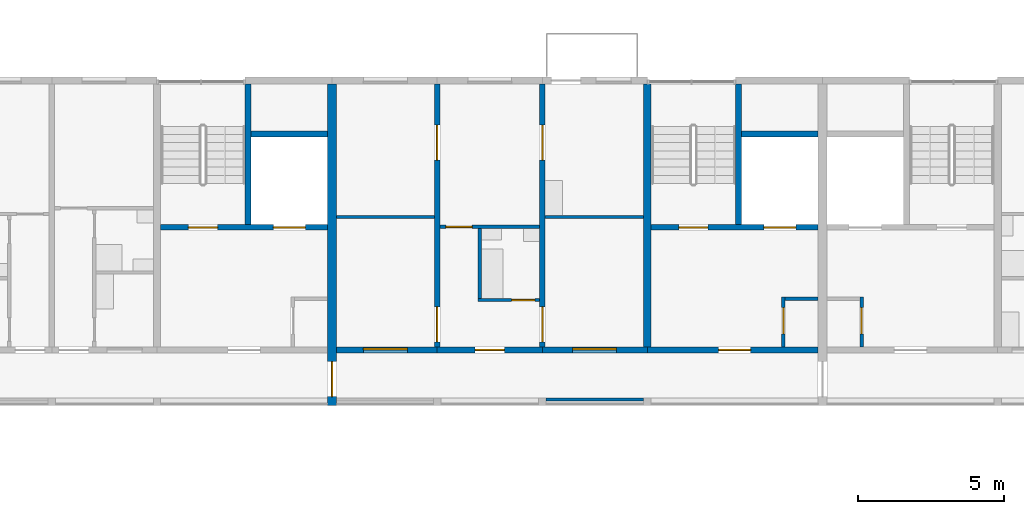
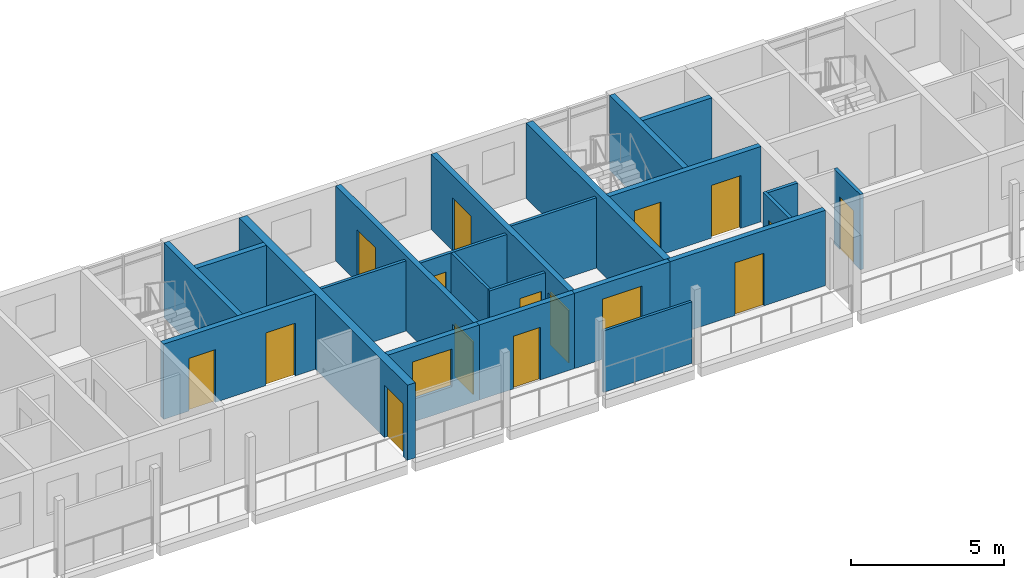
# One storey, part 52 of 100: 23 walls, 15 doors, 2 windows, 17 openings.
"""IFC4 building model written with IfcOpenShell, lengths in metres."""

from ifc_helpers import new_model, si_unit, direction, frame, frame_2d, origin, place, context, subcontext, project, spatial, rectangle, extrude, material, layer, layer_set, type_object, element, fill, save


model = new_model("IFC4")

# Units and contexts
model_context = context("Model", 3, precision=1e-05, world=origin(), true_north=direction((0.0, 1.0)))
body_context = subcontext(model_context, "Body", "Model", "MODEL_VIEW")
ifc_project = project(units=[si_unit("LENGTHUNIT", "METRE"), si_unit("AREAUNIT", "SQUARE_METRE"), si_unit("VOLUMEUNIT", "CUBIC_METRE"), si_unit("PLANEANGLEUNIT", "RADIAN"), si_unit("MASSUNIT", "GRAM", prefix="KILO")], contexts=[model_context])

# Site, building, storey
site_placement = place(None, origin())
site = spatial("IfcSite", under=ifc_project, at=site_placement, CompositionType="ELEMENT")
building_placement = place(site_placement, origin())
building = spatial("IfcBuilding", under=site, at=building_placement, Name="Ridgestep Commons", CompositionType="ELEMENT")
storey_placement = place(building_placement, frame((0.0, 0.0, 9.0)))
storey = spatial("IfcBuildingStorey", under=building, at=storey_placement, Name="L03", CompositionType="ELEMENT", Elevation=9.0)

# Wall
ifc_material_1 = material(Name="Concrete C30/37", Category="concrete")
ifc_layer_1 = layer(ifc_material_1, 0.25)
ifc_layer_set_1 = layer_set([ifc_layer_1], Name="Core cross wall 250")
wall_type_1 = type_object("IfcWallType", Name="Core cross wall 250", PredefinedType="SHEAR", material=ifc_layer_set_1)
wall_1_placement = place(storey_placement, frame((174.39990234375, 68.0, 0.0), z_axis=(0.0, 0.0, 1.0), x_axis=(0.0, 1.0, 0.0)))
element("IfcWall", 1, at=wall_1_placement, inside=storey, type_object=wall_type_1, Name="Cross wall C-03-1744", PredefinedType="SHEAR", context=body_context, shape_type="SweptSolid", body=[
    extrude(rectangle(XDim=9.0, YDim=0.25, at=frame_2d((4.5, 0.0))), origin(), (0.0, 0.0, 1.0), 3.0),
])

# Wall, opening, door
ifc_material_2 = material(Name="Concrete C30/37", Category="concrete")
ifc_layer_2 = layer(ifc_material_2, 0.199951171875)
ifc_layer_set_2 = layer_set([ifc_layer_2], Name="Core south wall 200")
wall_type_2 = type_object("IfcWallType", Name="Core south wall 200", PredefinedType="SHEAR", material=ifc_layer_set_2)
wall_2_placement = place(storey_placement, frame((174.39990234375, 67.89990234375, 0.0), z_axis=(0.0, 0.0, 1.0), x_axis=(1.0, 0.0, 0.0)))
wall_2 = element("IfcWall", 2, at=wall_2_placement, inside=storey, type_object=wall_type_2, Name="Core south wall C2C L03", PredefinedType="SHEAR", context=body_context, shape_type="SweptSolid", body=[
    extrude(rectangle(XDim=5.85009765625, YDim=0.199951171875, at=frame_2d((2.925048828125, 0.0))), origin(), (0.0, 0.0, 1.0), 3.0),
])
opening_1_placement = place(wall_2_placement, frame((2.4375, 0.0, 0.0)))
opening_1 = element("IfcOpeningElement", 3, at=opening_1_placement, cuts=wall_2, Name="Opening C2C/03/1", PredefinedType="OPENING", context=body_context, shape_type="SweptSolid", body=[
    extrude(rectangle(XDim=1.10009765625, YDim=2.10009765625, at=frame_2d((0.550048828125, 1.050048828125))), frame((0.0, 0.10986328125, 0.0), z_axis=(0.0, -1.0, 0.0), x_axis=(1.0, 0.0, 0.0)), (0.0, 0.0, 1.0), 0.219970703125),
])
ifc_material_3 = material(Name="Steel fire door", Category="steel")
door_type_1 = type_object("IfcDoorType", Name="Lobby door 1100 x 2100 FD60", OperationType="NOTDEFINED", PredefinedType="DOOR", material=ifc_material_3)
door_1_placement = place(opening_1_placement, origin())
door_1 = element("IfcDoor", 4, at=door_1_placement, inside=storey, type_object=door_type_1, Name="Lobby door C2C/03/1", OperationType="SINGLE_SWING_LEFT", OverallHeight=2.10009765625, OverallWidth=1.10009765625, PredefinedType="DOOR", context=body_context, shape_type="SweptSolid", body=[
    extrude(rectangle(XDim=1.10009765625, YDim=2.10009765625, at=frame_2d((0.550048828125, 1.050048828125))), frame((0.0, 0.02490234375, 0.0), z_axis=(0.0, -1.0, 0.0), x_axis=(1.0, 0.0, 0.0)), (0.0, 0.0, 1.0), 0.050048828125),
])
fill(opening_1, door_1)

ifc_material_4 = material(Name="Concrete C30/37", Category="concrete")
ifc_layer_3 = layer(ifc_material_4, 0.1201171875)
ifc_layer_set_3 = layer_set([ifc_layer_3], Name="Core wall 120")
wall_type_3 = type_object("IfcWallType", Name="Core wall 120", PredefinedType="SHEAR", material=ifc_layer_set_3)
wall_3_placement = place(storey_placement, frame((179.06005859375, 68.0, 0.0), z_axis=(0.0, 0.0, 1.0), x_axis=(0.0, 1.0, 0.0)))
wall_3 = element("IfcWall", 5, at=wall_3_placement, inside=storey, type_object=wall_type_3, Name="Core riser w wall C2C L03", PredefinedType="SHEAR", context=body_context, shape_type="SweptSolid", body=[
    extrude(rectangle(XDim=1.719970703125, YDim=0.1201171875, at=frame_2d((0.85986328125, 0.0))), origin(), (0.0, 0.0, 1.0), 3.0),
])
opening_2_placement = place(wall_3_placement, frame((0.449951171875, 0.0, 0.0)))
opening_2 = element("IfcOpeningElement", 6, at=opening_2_placement, cuts=wall_3, Name="Opening C2C/03/4", PredefinedType="OPENING", context=body_context, shape_type="SweptSolid", body=[
    extrude(rectangle(XDim=0.89990234375, YDim=2.10009765625, at=frame_2d((0.449951171875, 1.050048828125))), frame((0.0, 0.070068359375, 0.0), z_axis=(0.0, -1.0, 0.0), x_axis=(1.0, 0.0, 0.0)), (0.0, 0.0, 1.0), 0.14013671875),
])
ifc_material_5 = material(Name="Steel fire door", Category="steel")
door_type_2 = type_object("IfcDoorType", Name="Riser door 900 x 2100 FD60", OperationType="NOTDEFINED", PredefinedType="DOOR", material=ifc_material_5)
door_2_placement = place(opening_2_placement, origin())
door_2 = element("IfcDoor", 7, at=door_2_placement, inside=storey, type_object=door_type_2, Name="Riser door C2C/03/4", OperationType="SINGLE_SWING_LEFT", OverallHeight=2.10009765625, OverallWidth=0.89990234375, PredefinedType="DOOR", context=body_context, shape_type="SweptSolid", body=[
    extrude(rectangle(XDim=0.89990234375, YDim=2.10009765625, at=frame_2d((0.449951171875, 1.050048828125))), frame((0.0, 0.02490234375, 0.0), z_axis=(0.0, -1.0, 0.0), x_axis=(1.0, 0.0, 0.0)), (0.0, 0.0, 1.0), 0.050048828125),
])
fill(opening_2, door_2)

# Wall
wall_4_placement = place(storey_placement, frame((179.1201171875, 69.659912109375, 0.0), z_axis=(0.0, 0.0, 1.0), x_axis=(1.0, 0.0, 0.0)))
element("IfcWall", 8, at=wall_4_placement, inside=storey, type_object=wall_type_3, Name="Core riser n wall C2C L03", PredefinedType="SHEAR", context=body_context, shape_type="SweptSolid", body=[
    extrude(rectangle(XDim=1.1298828125, YDim=0.1201171875, at=frame_2d((0.56494140625, 0.0))), origin(), (0.0, 0.0, 1.0), 3.0),
])

# Wall, opening, door
wall_5_placement = place(storey_placement, frame((181.739990234375, 68.0, 0.0), z_axis=(0.0, 0.0, 1.0), x_axis=(0.0, 1.0, 0.0)))
wall_5 = element("IfcWall", 9, at=wall_5_placement, inside=storey, type_object=wall_type_3, Name="Core riser w wall C3C L03", PredefinedType="SHEAR", context=body_context, shape_type="SweptSolid", body=[
    extrude(rectangle(XDim=1.719970703125, YDim=0.1201171875, at=frame_2d((0.85986328125, 0.0))), origin(), (0.0, 0.0, 1.0), 3.0),
])
opening_3_placement = place(wall_5_placement, frame((0.449951171875, 0.0, 0.0)))
opening_3 = element("IfcOpeningElement", 10, at=opening_3_placement, cuts=wall_5, Name="Opening C3C/03/4", PredefinedType="OPENING", context=body_context, shape_type="SweptSolid", body=[
    extrude(rectangle(XDim=0.89990234375, YDim=2.10009765625, at=frame_2d((0.449951171875, 1.050048828125))), frame((0.0, 0.070068359375, 0.0), z_axis=(0.0, -1.0, 0.0), x_axis=(1.0, 0.0, 0.0)), (0.0, 0.0, 1.0), 0.14013671875),
])
door_3_placement = place(opening_3_placement, origin())
door_3 = element("IfcDoor", 11, at=door_3_placement, inside=storey, type_object=door_type_2, Name="Riser door C3C/03/4", OperationType="SINGLE_SWING_RIGHT", OverallHeight=2.10009765625, OverallWidth=0.89990234375, PredefinedType="DOOR", context=body_context, shape_type="SweptSolid", body=[
    extrude(rectangle(XDim=0.89990234375, YDim=2.10009765625, at=frame_2d((0.449951171875, 1.050048828125))), frame((0.0, 0.02490234375, 0.0), z_axis=(0.0, -1.0, 0.0), x_axis=(1.0, 0.0, 0.0)), (0.0, 0.0, 1.0), 0.050048828125),
])
fill(opening_3, door_3)

# Wall, openings, doors
ifc_material_6 = material(Name="Concrete C30/37", Category="concrete")
ifc_layer_4 = layer(ifc_material_6, 0.199951171875)
ifc_layer_set_4 = layer_set([ifc_layer_4], Name="Core wall 200")
wall_type_4 = type_object("IfcWallType", Name="Core wall 200", PredefinedType="SHEAR", material=ifc_layer_set_4)
wall_6_placement = place(storey_placement, frame((157.72509765625, 72.10009765625, 0.0), z_axis=(0.0, 0.0, 1.0), x_axis=(1.0, 0.0, 0.0)))
wall_6 = element("IfcWall", 12, at=wall_6_placement, inside=storey, type_object=wall_type_4, Name="Core lobby wall C1C L03", PredefinedType="SHEAR", context=body_context, shape_type="SweptSolid", body=[
    extrude(rectangle(XDim=5.724853515625, YDim=0.199951171875, at=frame_2d((2.8623046875, 0.0))), origin(), (0.0, 0.0, 1.0), 3.0),
])
opening_4_placement = place(wall_6_placement, frame((0.949951171875, 0.0, 0.0)))
opening_4 = element("IfcOpeningElement", 13, at=opening_4_placement, cuts=wall_6, Name="Opening C1C/03/2", PredefinedType="OPENING", context=body_context, shape_type="SweptSolid", body=[
    extrude(rectangle(XDim=1.0, YDim=2.10009765625, at=frame_2d((0.5, 1.050048828125))), frame((0.0, 0.10986328125, 0.0), z_axis=(0.0, -1.0, 0.0), x_axis=(1.0, 0.0, 0.0)), (0.0, 0.0, 1.0), 0.219970703125),
])
opening_5_placement = place(wall_6_placement, frame((3.862548828125, 0.0, 0.0)))
opening_5 = element("IfcOpeningElement", 14, at=opening_5_placement, cuts=wall_6, Name="Opening C1C/03/3", PredefinedType="OPENING", context=body_context, shape_type="SweptSolid", body=[
    extrude(rectangle(XDim=1.10009765625, YDim=2.10009765625, at=frame_2d((0.550048828125, 1.050048828125))), frame((0.0, 0.10986328125, 0.0), z_axis=(0.0, -1.0, 0.0), x_axis=(1.0, 0.0, 0.0)), (0.0, 0.0, 1.0), 0.219970703125),
])
ifc_material_7 = material(Name="Stainless steel", Category="steel")
door_type_3 = type_object("IfcDoorType", Name="Lift landing door 1100 x 2100 FD60", OperationType="DOUBLE_DOOR_SLIDING", PredefinedType="DOOR", material=ifc_material_7)
door_4_placement = place(opening_5_placement, origin())
door_4 = element("IfcDoor", 15, at=door_4_placement, inside=storey, type_object=door_type_3, Name="Landing door LD C1C L03", OperationType="DOUBLE_DOOR_SLIDING", OverallHeight=2.10009765625, OverallWidth=1.10009765625, PredefinedType="DOOR", context=body_context, shape_type="SweptSolid", body=[
    extrude(rectangle(XDim=1.10009765625, YDim=2.10009765625, at=frame_2d((0.550048828125, 1.050048828125))), frame((0.0, 0.02490234375, 0.0), z_axis=(0.0, -1.0, 0.0), x_axis=(1.0, 0.0, 0.0)), (0.0, 0.0, 1.0), 0.050048828125),
])
fill(opening_5, door_4)
ifc_material_8 = material(Name="Steel fire door", Category="steel")
door_type_4 = type_object("IfcDoorType", Name="Stair door 1000 x 2100 FD60", OperationType="NOTDEFINED", PredefinedType="DOOR", material=ifc_material_8)
door_5_placement = place(opening_4_placement, origin())
door_5 = element("IfcDoor", 16, at=door_5_placement, inside=storey, type_object=door_type_4, Name="Stair door C1C/03/2", OperationType="SINGLE_SWING_RIGHT", OverallHeight=2.10009765625, OverallWidth=1.0, PredefinedType="DOOR", context=body_context, shape_type="SweptSolid", body=[
    extrude(rectangle(XDim=1.0, YDim=2.10009765625, at=frame_2d((0.5, 1.050048828125))), frame((0.0, 0.02490234375, 0.0), z_axis=(0.0, -1.0, 0.0), x_axis=(1.0, 0.0, 0.0)), (0.0, 0.0, 1.0), 0.050048828125),
])
fill(opening_4, door_5)

# Walls
wall_7_placement = place(storey_placement, frame((160.72509765625, 72.199951171875, 0.0), z_axis=(0.0, 0.0, 1.0), x_axis=(0.0, 1.0, 0.0)))
element("IfcWall", 17, at=wall_7_placement, inside=storey, type_object=wall_type_4, Name="Core stair wall C1C L03", PredefinedType="SHEAR", context=body_context, shape_type="SweptSolid", body=[
    extrude(rectangle(XDim=4.800048828125, YDim=0.199951171875, at=frame_2d((2.39990234375, 0.0))), origin(), (0.0, 0.0, 1.0), 3.0),
])
wall_8_placement = place(storey_placement, frame((160.824951171875, 75.300048828125, 0.0), z_axis=(0.0, 0.0, 1.0), x_axis=(1.0, 0.0, 0.0)))
element("IfcWall", 18, at=wall_8_placement, inside=storey, type_object=wall_type_4, Name="Core duct wall C1C L03", PredefinedType="SHEAR", context=body_context, shape_type="SweptSolid", body=[
    extrude(rectangle(XDim=2.625, YDim=0.199951171875, at=frame_2d((1.3125, 0.0))), origin(), (0.0, 0.0, 1.0), 3.0),
])

# Wall, openings, doors
wall_9_placement = place(storey_placement, frame((174.52490234375, 72.10009765625, 0.0), z_axis=(0.0, 0.0, 1.0), x_axis=(1.0, 0.0, 0.0)))
wall_9 = element("IfcWall", 19, at=wall_9_placement, inside=storey, type_object=wall_type_4, Name="Core lobby wall C2C L03", PredefinedType="SHEAR", context=body_context, shape_type="SweptSolid", body=[
    extrude(rectangle(XDim=5.72509765625, YDim=0.199951171875, at=frame_2d((2.862548828125, 0.0))), origin(), (0.0, 0.0, 1.0), 3.0),
])
opening_6_placement = place(wall_9_placement, frame((0.949951171875, 0.0, 0.0)))
opening_6 = element("IfcOpeningElement", 20, at=opening_6_placement, cuts=wall_9, Name="Opening C2C/03/2", PredefinedType="OPENING", context=body_context, shape_type="SweptSolid", body=[
    extrude(rectangle(XDim=1.0, YDim=2.10009765625, at=frame_2d((0.5, 1.050048828125))), frame((0.0, 0.10986328125, 0.0), z_axis=(0.0, -1.0, 0.0), x_axis=(1.0, 0.0, 0.0)), (0.0, 0.0, 1.0), 0.219970703125),
])
opening_7_placement = place(wall_9_placement, frame((3.862548828125, 0.0, 0.0)))
opening_7 = element("IfcOpeningElement", 21, at=opening_7_placement, cuts=wall_9, Name="Opening C2C/03/3", PredefinedType="OPENING", context=body_context, shape_type="SweptSolid", body=[
    extrude(rectangle(XDim=1.10009765625, YDim=2.10009765625, at=frame_2d((0.550048828125, 1.050048828125))), frame((0.0, 0.10986328125, 0.0), z_axis=(0.0, -1.0, 0.0), x_axis=(1.0, 0.0, 0.0)), (0.0, 0.0, 1.0), 0.219970703125),
])
door_6_placement = place(opening_7_placement, origin())
door_6 = element("IfcDoor", 22, at=door_6_placement, inside=storey, type_object=door_type_3, Name="Landing door LD C2C L03", OperationType="DOUBLE_DOOR_SLIDING", OverallHeight=2.10009765625, OverallWidth=1.10009765625, PredefinedType="DOOR", context=body_context, shape_type="SweptSolid", body=[
    extrude(rectangle(XDim=1.10009765625, YDim=2.10009765625, at=frame_2d((0.550048828125, 1.050048828125))), frame((0.0, 0.02490234375, 0.0), z_axis=(0.0, -1.0, 0.0), x_axis=(1.0, 0.0, 0.0)), (0.0, 0.0, 1.0), 0.050048828125),
])
fill(opening_7, door_6)
door_7_placement = place(opening_6_placement, origin())
door_7 = element("IfcDoor", 23, at=door_7_placement, inside=storey, type_object=door_type_4, Name="Stair door C2C/03/2", OperationType="SINGLE_SWING_RIGHT", OverallHeight=2.10009765625, OverallWidth=1.0, PredefinedType="DOOR", context=body_context, shape_type="SweptSolid", body=[
    extrude(rectangle(XDim=1.0, YDim=2.10009765625, at=frame_2d((0.5, 1.050048828125))), frame((0.0, 0.02490234375, 0.0), z_axis=(0.0, -1.0, 0.0), x_axis=(1.0, 0.0, 0.0)), (0.0, 0.0, 1.0), 0.050048828125),
])
fill(opening_6, door_7)

# Walls
wall_10_placement = place(storey_placement, frame((177.52490234375, 72.199951171875, 0.0), z_axis=(0.0, 0.0, 1.0), x_axis=(0.0, 1.0, 0.0)))
element("IfcWall", 24, at=wall_10_placement, inside=storey, type_object=wall_type_4, Name="Core stair wall C2C L03", PredefinedType="SHEAR", context=body_context, shape_type="SweptSolid", body=[
    extrude(rectangle(XDim=4.800048828125, YDim=0.199951171875, at=frame_2d((2.39990234375, 0.0))), origin(), (0.0, 0.0, 1.0), 3.0),
])
wall_11_placement = place(storey_placement, frame((177.625, 75.300048828125, 0.0), z_axis=(0.0, 0.0, 1.0), x_axis=(1.0, 0.0, 0.0)))
element("IfcWall", 25, at=wall_11_placement, inside=storey, type_object=wall_type_4, Name="Core duct wall C2C L03", PredefinedType="SHEAR", context=body_context, shape_type="SweptSolid", body=[
    extrude(rectangle(XDim=2.625, YDim=0.199951171875, at=frame_2d((1.3125, 0.0))), origin(), (0.0, 0.0, 1.0), 3.0),
])

# Wall, openings, doors
ifc_material_9 = material(Name="Precast concrete C40/50", Category="concrete")
ifc_layer_5 = layer(ifc_material_9, 0.199951171875)
ifc_layer_set_5 = layer_set([ifc_layer_5], Name="Cross wall 200")
wall_type_5 = type_object("IfcWallType", Name="Cross wall 200", PredefinedType="SHEAR", material=ifc_layer_set_5)
wall_12_placement = place(storey_placement, frame((167.199951171875, 68.0, 0.0), z_axis=(0.0, 0.0, 1.0), x_axis=(0.0, 1.0, 0.0)))
wall_12 = element("IfcWall", 26, at=wall_12_placement, inside=storey, type_object=wall_type_5, Name="Cross wall C-03-1672", PredefinedType="SHEAR", context=body_context, shape_type="SweptSolid", body=[
    extrude(rectangle(XDim=9.0, YDim=0.199951171875, at=frame_2d((4.5, 0.0))), origin(), (0.0, 0.0, 1.0), 3.0),
])
opening_8_placement = place(wall_12_placement, frame((0.175048828125, 0.0, 0.0)))
opening_8 = element("IfcOpeningElement", 27, at=opening_8_placement, cuts=wall_12, Name="Opening C2-03a/4", PredefinedType="OPENING", context=body_context, shape_type="SweptSolid", body=[
    extrude(rectangle(XDim=1.199951171875, YDim=2.10009765625, at=frame_2d((0.60009765625, 1.050048828125))), frame((0.0, 0.10986328125, 0.0), z_axis=(0.0, -1.0, 0.0), x_axis=(1.0, 0.0, 0.0)), (0.0, 0.0, 1.0), 0.219970703125),
])
opening_9_placement = place(wall_12_placement, frame((6.39990234375, 0.0, 0.0)))
opening_9 = element("IfcOpeningElement", 28, at=opening_9_placement, cuts=wall_12, Name="Opening C2-03a/5", PredefinedType="OPENING", context=body_context, shape_type="SweptSolid", body=[
    extrude(rectangle(XDim=1.199951171875, YDim=2.10009765625, at=frame_2d((0.60009765625, 1.050048828125))), frame((0.0, 0.10986328125, 0.0), z_axis=(0.0, -1.0, 0.0), x_axis=(1.0, 0.0, 0.0)), (0.0, 0.0, 1.0), 0.219970703125),
])
ifc_material_10 = material(Name="Timber door leaf", Category="wood")
door_type_5 = type_object("IfcDoorType", Name="Double door 1200 x 2100", OperationType="DOUBLE_DOOR_SINGLE_SWING", PredefinedType="DOOR", material=ifc_material_10)
door_8_placement = place(opening_8_placement, origin())
door_8 = element("IfcDoor", 29, at=door_8_placement, inside=storey, type_object=door_type_5, Name="Double door C2-03a/4", OperationType="DOUBLE_DOOR_SINGLE_SWING", OverallHeight=2.10009765625, OverallWidth=1.199951171875, PredefinedType="DOOR", context=body_context, shape_type="SweptSolid", body=[
    extrude(rectangle(XDim=1.199951171875, YDim=2.10009765625, at=frame_2d((0.60009765625, 1.050048828125))), frame((0.0, 0.02490234375, 0.0), z_axis=(0.0, -1.0, 0.0), x_axis=(1.0, 0.0, 0.0)), (0.0, 0.0, 1.0), 0.050048828125),
])
fill(opening_8, door_8)
door_9_placement = place(opening_9_placement, origin())
door_9 = element("IfcDoor", 30, at=door_9_placement, inside=storey, type_object=door_type_5, Name="Double door C2-03a/5", OperationType="DOUBLE_DOOR_SINGLE_SWING", OverallHeight=2.10009765625, OverallWidth=1.199951171875, PredefinedType="DOOR", context=body_context, shape_type="SweptSolid", body=[
    extrude(rectangle(XDim=1.199951171875, YDim=2.10009765625, at=frame_2d((0.60009765625, 1.050048828125))), frame((0.0, 0.02490234375, 0.0), z_axis=(0.0, -1.0, 0.0), x_axis=(1.0, 0.0, 0.0)), (0.0, 0.0, 1.0), 0.050048828125),
])
fill(opening_9, door_9)

wall_13_placement = place(storey_placement, frame((170.800048828125, 68.0, 0.0), z_axis=(0.0, 0.0, 1.0), x_axis=(0.0, 1.0, 0.0)))
wall_13 = element("IfcWall", 31, at=wall_13_placement, inside=storey, type_object=wall_type_5, Name="Cross wall C-03-1708", PredefinedType="SHEAR", context=body_context, shape_type="SweptSolid", body=[
    extrude(rectangle(XDim=9.0, YDim=0.199951171875, at=frame_2d((4.5, 0.0))), origin(), (0.0, 0.0, 1.0), 3.0),
])
opening_10_placement = place(wall_13_placement, frame((0.175048828125, 0.0, 0.0)))
opening_10 = element("IfcOpeningElement", 32, at=opening_10_placement, cuts=wall_13, Name="Opening C2-03a/6", PredefinedType="OPENING", context=body_context, shape_type="SweptSolid", body=[
    extrude(rectangle(XDim=1.199951171875, YDim=2.10009765625, at=frame_2d((0.60009765625, 1.050048828125))), frame((0.0, 0.10986328125, 0.0), z_axis=(0.0, -1.0, 0.0), x_axis=(1.0, 0.0, 0.0)), (0.0, 0.0, 1.0), 0.219970703125),
])
opening_11_placement = place(wall_13_placement, frame((6.39990234375, 0.0, 0.0)))
opening_11 = element("IfcOpeningElement", 33, at=opening_11_placement, cuts=wall_13, Name="Opening C2-03a/7", PredefinedType="OPENING", context=body_context, shape_type="SweptSolid", body=[
    extrude(rectangle(XDim=1.199951171875, YDim=2.10009765625, at=frame_2d((0.60009765625, 1.050048828125))), frame((0.0, 0.10986328125, 0.0), z_axis=(0.0, -1.0, 0.0), x_axis=(1.0, 0.0, 0.0)), (0.0, 0.0, 1.0), 0.219970703125),
])
door_10_placement = place(opening_10_placement, origin())
door_10 = element("IfcDoor", 34, at=door_10_placement, inside=storey, type_object=door_type_5, Name="Double door C2-03a/6", OperationType="DOUBLE_DOOR_SINGLE_SWING", OverallHeight=2.10009765625, OverallWidth=1.199951171875, PredefinedType="DOOR", context=body_context, shape_type="SweptSolid", body=[
    extrude(rectangle(XDim=1.199951171875, YDim=2.10009765625, at=frame_2d((0.60009765625, 1.050048828125))), frame((0.0, 0.02490234375, 0.0), z_axis=(0.0, -1.0, 0.0), x_axis=(1.0, 0.0, 0.0)), (0.0, 0.0, 1.0), 0.050048828125),
])
fill(opening_10, door_10)
door_11_placement = place(opening_11_placement, origin())
door_11 = element("IfcDoor", 35, at=door_11_placement, inside=storey, type_object=door_type_5, Name="Double door C2-03a/7", OperationType="DOUBLE_DOOR_SINGLE_SWING", OverallHeight=2.10009765625, OverallWidth=1.199951171875, PredefinedType="DOOR", context=body_context, shape_type="SweptSolid", body=[
    extrude(rectangle(XDim=1.199951171875, YDim=2.10009765625, at=frame_2d((0.60009765625, 1.050048828125))), frame((0.0, 0.02490234375, 0.0), z_axis=(0.0, -1.0, 0.0), x_axis=(1.0, 0.0, 0.0)), (0.0, 0.0, 1.0), 0.050048828125),
])
fill(opening_11, door_11)

# Wall, opening, door
ifc_material_11 = material(Name="Precast concrete C40/50", Category="concrete")
ifc_layer_6 = layer(ifc_material_11, 0.300048828125)
ifc_layer_set_6 = layer_set([ifc_layer_6], Name="Division wall 300")
wall_type_6 = type_object("IfcWallType", Name="Division wall 300", PredefinedType="SHEAR", material=ifc_layer_set_6)
wall_14_placement = place(storey_placement, frame((163.60009765625, 66.0, 0.0), z_axis=(0.0, 0.0, 1.0), x_axis=(0.0, 1.0, 0.0)))
wall_14 = element("IfcWall", 36, at=wall_14_placement, inside=storey, type_object=wall_type_6, Name="Cross wall C-03-1636", PredefinedType="SHEAR", context=body_context, shape_type="SweptSolid", body=[
    extrude(rectangle(XDim=11.0, YDim=0.300048828125, at=frame_2d((5.5, 0.0))), origin(), (0.0, 0.0, 1.0), 3.0),
])
opening_12_placement = place(wall_14_placement, frame((0.300048828125, 0.0, 0.0)))
opening_12 = element("IfcOpeningElement", 37, at=opening_12_placement, cuts=wall_14, Name="Opening C/03/G1636", PredefinedType="OPENING", context=body_context, shape_type="SweptSolid", body=[
    extrude(rectangle(XDim=1.199951171875, YDim=2.10009765625, at=frame_2d((0.60009765625, 1.050048828125))), frame((0.0, 0.159912109375, 0.0), z_axis=(0.0, -1.0, 0.0), x_axis=(1.0, 0.0, 0.0)), (0.0, 0.0, 1.0), 0.320068359375),
])
ifc_material_12 = material(Name="Steel fire door", Category="steel")
door_type_6 = type_object("IfcDoorType", Name="Division fire door 1200 x 2100 EI 240", OperationType="DOUBLE_DOOR_SINGLE_SWING", PredefinedType="DOOR", material=ifc_material_12)
door_12_placement = place(opening_12_placement, origin())
door_12 = element("IfcDoor", 38, at=door_12_placement, inside=storey, type_object=door_type_6, Name="Division fire door C/03/G1636", OperationType="DOUBLE_DOOR_SINGLE_SWING", OverallHeight=2.10009765625, OverallWidth=1.199951171875, PredefinedType="DOOR", context=body_context, shape_type="SweptSolid", body=[
    extrude(rectangle(XDim=1.199951171875, YDim=2.10009765625, at=frame_2d((0.60009765625, 1.050048828125))), frame((0.0, 0.02490234375, 0.0), z_axis=(0.0, -1.0, 0.0), x_axis=(1.0, 0.0, 0.0)), (0.0, 0.0, 1.0), 0.050048828125),
])
fill(opening_12, door_12)

ifc_material_13 = material(Name="Common brick 110 mm", Category="masonry")
ifc_layer_7 = layer(ifc_material_13, 0.110107421875)
ifc_layer_set_7 = layer_set([ifc_layer_7], Name="Partition 110")
wall_type_7 = type_object("IfcWallType", Name="Partition 110", PredefinedType="PARTITIONING", material=ifc_layer_set_7)
wall_15_placement = place(storey_placement, frame((168.60009765625, 69.60498046875, 0.0), z_axis=(0.0, 0.0, 1.0), x_axis=(1.0, 0.0, 0.0)))
wall_15 = element("IfcWall", 39, at=wall_15_placement, inside=storey, type_object=wall_type_7, Name="Partition C2-03a", PredefinedType="PARTITIONING", context=body_context, shape_type="SweptSolid", body=[
    extrude(rectangle(XDim=2.099853515625, YDim=0.110107421875, at=frame_2d((1.0498046875, 0.0))), origin(), (0.0, 0.0, 1.0), 2.800048828125),
])
opening_13_placement = place(wall_15_placement, frame((1.14990234375, 0.0, 0.0)))
opening_13 = element("IfcOpeningElement", 40, at=opening_13_placement, cuts=wall_15, Name="Opening C2-03a/2", PredefinedType="OPENING", context=body_context, shape_type="SweptSolid", body=[
    extrude(rectangle(XDim=0.800048828125, YDim=2.10009765625, at=frame_2d((0.39990234375, 1.050048828125))), frame((0.0, 0.06494140625, 0.0), z_axis=(0.0, -1.0, 0.0), x_axis=(1.0, 0.0, 0.0)), (0.0, 0.0, 1.0), 0.130126953125),
])
ifc_material_14 = material(Name="Timber door leaf", Category="wood")
door_type_7 = type_object("IfcDoorType", Name="Internal door 800 x 2100", OperationType="NOTDEFINED", PredefinedType="DOOR", material=ifc_material_14)
door_13_placement = place(opening_13_placement, origin())
door_13 = element("IfcDoor", 41, at=door_13_placement, inside=storey, type_object=door_type_7, Name="Internal door C2-03a/2", OperationType="SINGLE_SWING_RIGHT", OverallHeight=2.10009765625, OverallWidth=0.800048828125, PredefinedType="DOOR", context=body_context, shape_type="SweptSolid", body=[
    extrude(rectangle(XDim=0.800048828125, YDim=2.10009765625, at=frame_2d((0.39990234375, 1.050048828125))), frame((0.0, 0.02490234375, 0.0), z_axis=(0.0, -1.0, 0.0), x_axis=(1.0, 0.0, 0.0)), (0.0, 0.0, 1.0), 0.050048828125),
])
fill(opening_13, door_13)

# Wall
wall_16_placement = place(storey_placement, frame((168.655029296875, 69.659912109375, 0.0), z_axis=(0.0, 0.0, 1.0), x_axis=(0.0, 1.0, 0.0)))
element("IfcWall", 42, at=wall_16_placement, inside=storey, type_object=wall_type_7, Name="Partition C2-03a", PredefinedType="PARTITIONING", context=body_context, shape_type="SweptSolid", body=[
    extrude(rectangle(XDim=2.400146484375, YDim=0.110107421875, at=frame_2d((1.2001953125, 0.0))), origin(), (0.0, 0.0, 1.0), 2.800048828125),
])

# Wall, opening, door
wall_17_placement = place(storey_placement, frame((167.300048828125, 72.114990234375, 0.0), z_axis=(0.0, 0.0, 1.0), x_axis=(1.0, 0.0, 0.0)))
wall_17 = element("IfcWall", 43, at=wall_17_placement, inside=storey, type_object=wall_type_7, Name="Partition C2-03a", PredefinedType="PARTITIONING", context=body_context, shape_type="SweptSolid", body=[
    extrude(rectangle(XDim=3.39990234375, YDim=0.110107421875, at=frame_2d((1.699951171875, 0.0))), origin(), (0.0, 0.0, 1.0), 2.800048828125),
])
opening_14_placement = place(wall_17_placement, frame((0.199951171875, 0.0, 0.0)))
opening_14 = element("IfcOpeningElement", 44, at=opening_14_placement, cuts=wall_17, Name="Opening C2-03a/3", PredefinedType="OPENING", context=body_context, shape_type="SweptSolid", body=[
    extrude(rectangle(XDim=0.89990234375, YDim=2.10009765625, at=frame_2d((0.449951171875, 1.050048828125))), frame((0.0, 0.06494140625, 0.0), z_axis=(0.0, -1.0, 0.0), x_axis=(1.0, 0.0, 0.0)), (0.0, 0.0, 1.0), 0.130126953125),
])
ifc_material_15 = material(Name="Timber door leaf", Category="wood")
door_type_8 = type_object("IfcDoorType", Name="Internal door 900 x 2100", OperationType="NOTDEFINED", PredefinedType="DOOR", material=ifc_material_15)
door_14_placement = place(opening_14_placement, origin())
door_14 = element("IfcDoor", 45, at=door_14_placement, inside=storey, type_object=door_type_8, Name="Internal door C2-03a/3", OperationType="SINGLE_SWING_LEFT", OverallHeight=2.10009765625, OverallWidth=0.89990234375, PredefinedType="DOOR", context=body_context, shape_type="SweptSolid", body=[
    extrude(rectangle(XDim=0.89990234375, YDim=2.10009765625, at=frame_2d((0.449951171875, 1.050048828125))), frame((0.0, 0.02490234375, 0.0), z_axis=(0.0, -1.0, 0.0), x_axis=(1.0, 0.0, 0.0)), (0.0, 0.0, 1.0), 0.050048828125),
])
fill(opening_14, door_14)

# Walls
wall_18_placement = place(storey_placement, frame((163.75, 72.455078125, 0.0), z_axis=(0.0, 0.0, 1.0), x_axis=(1.0, 0.0, 0.0)))
element("IfcWall", 46, at=wall_18_placement, inside=storey, type_object=wall_type_7, Name="Partition C2-03a", PredefinedType="PARTITIONING", context=body_context, shape_type="SweptSolid", body=[
    extrude(rectangle(XDim=3.35009765625, YDim=0.110107421875, at=frame_2d((1.675048828125, 0.0))), origin(), (0.0, 0.0, 1.0), 2.800048828125),
])
wall_19_placement = place(storey_placement, frame((170.89990234375, 72.455078125, 0.0), z_axis=(0.0, 0.0, 1.0), x_axis=(1.0, 0.0, 0.0)))
element("IfcWall", 47, at=wall_19_placement, inside=storey, type_object=wall_type_7, Name="Partition C2-03a", PredefinedType="PARTITIONING", context=body_context, shape_type="SweptSolid", body=[
    extrude(rectangle(XDim=3.375, YDim=0.110107421875, at=frame_2d((1.6875, 0.0))), origin(), (0.0, 0.0, 1.0), 2.800048828125),
])
ifc_material_16 = material(Name="Precast concrete C30/37", Category="concrete")
ifc_layer_8 = layer(ifc_material_16, 0.10009765625)
ifc_layer_set_8 = layer_set([ifc_layer_8], Name="Perforated gallery screen 3350 x 2450 x 100")
wall_type_8 = type_object("IfcWallType", Name="Perforated gallery screen 3350 x 2450 x 100", PredefinedType="SOLIDWALL", material=ifc_layer_set_8)
wall_20_placement = place(storey_placement, frame((170.925048828125, 66.199951171875, 0.0), z_axis=(0.0, 0.0, 1.0), x_axis=(1.0, 0.0, 0.0)))
element("IfcWall", 48, at=wall_20_placement, inside=storey, type_object=wall_type_8, Name="Gallery screen C2T3 03", PredefinedType="SOLIDWALL", context=body_context, shape_type="SweptSolid", body=[
    extrude(rectangle(XDim=3.349853515625, YDim=0.10009765625, at=frame_2d((1.6748046875, 0.0))), origin(), (0.0, 0.0, 1.0), 2.449951171875),
])

# Wall, opening, window
ifc_material_17 = material(Name="Precast concrete C40/50", Category="concrete")
ifc_layer_9 = layer(ifc_material_17, 0.199951171875)
ifc_layer_set_9 = layer_set([ifc_layer_9], Name="South facade panel 200")
wall_type_9 = type_object("IfcWallType", Name="South facade panel 200", PredefinedType="SOLIDWALL", material=ifc_layer_set_9)
wall_21_placement = place(storey_placement, frame((163.75, 67.89990234375, 0.0), z_axis=(0.0, 0.0, 1.0), x_axis=(1.0, 0.0, 0.0)))
wall_21 = element("IfcWall", 49, at=wall_21_placement, inside=storey, type_object=wall_type_9, Name="South panel C2T1 L03", PredefinedType="SOLIDWALL", context=body_context, shape_type="SweptSolid", body=[
    extrude(rectangle(XDim=3.449951171875, YDim=0.199951171875, at=frame_2d((1.72509765625, 0.0))), origin(), (0.0, 0.0, 1.0), 3.0),
])
opening_15_placement = place(wall_21_placement, frame((0.925048828125, 0.0, 0.89990234375)))
opening_15 = element("IfcOpeningElement", 50, at=opening_15_placement, cuts=wall_21, Name="Opening W16", PredefinedType="OPENING", context=body_context, shape_type="SweptSolid", body=[
    extrude(rectangle(XDim=1.5, YDim=1.5, at=frame_2d((0.75, 0.75))), frame((0.0, 0.10986328125, 0.0), z_axis=(0.0, -1.0, 0.0), x_axis=(1.0, 0.0, 0.0)), (0.0, 0.0, 1.0), 0.219970703125),
])
ifc_material_18 = material(Name="Aluminium 6063-T6 and glass", Category="aluminium")
window_type = type_object("IfcWindowType", Name="Flat window 1500 x 1500", PartitioningType="DOUBLE_PANEL_VERTICAL", PredefinedType="WINDOW", material=ifc_material_18)
window_1_placement = place(opening_15_placement, origin())
window_1 = element("IfcWindow", 51, at=window_1_placement, inside=storey, type_object=window_type, Name="Window C2-03a 1", OverallHeight=1.5, OverallWidth=1.5, PartitioningType="SINGLE_PANEL", PredefinedType="WINDOW", context=body_context, shape_type="SweptSolid", body=[
    extrude(rectangle(XDim=1.5, YDim=1.5, at=frame_2d((0.75, 0.75))), frame((0.0, 0.06005859375, 0.0), z_axis=(0.0, -1.0, 0.0), x_axis=(1.0, 0.0, 0.0)), (0.0, 0.0, 1.0), 0.06005859375),
])
fill(opening_15, window_1)

# Wall, opening, door
wall_22_placement = place(storey_placement, frame((167.199951171875, 67.89990234375, 0.0), z_axis=(0.0, 0.0, 1.0), x_axis=(1.0, 0.0, 0.0)))
wall_22 = element("IfcWall", 52, at=wall_22_placement, inside=storey, type_object=wall_type_9, Name="South panel C2T2 L03", PredefinedType="SOLIDWALL", context=body_context, shape_type="SweptSolid", body=[
    extrude(rectangle(XDim=3.60009765625, YDim=0.199951171875, at=frame_2d((1.800048828125, 0.0))), origin(), (0.0, 0.0, 1.0), 3.0),
])
opening_16_placement = place(wall_22_placement, frame((1.300048828125, 0.0, 0.0)))
opening_16 = element("IfcOpeningElement", 53, at=opening_16_placement, cuts=wall_22, Name="Opening C2-03a/1", PredefinedType="OPENING", context=body_context, shape_type="SweptSolid", body=[
    extrude(rectangle(XDim=1.0, YDim=2.10009765625, at=frame_2d((0.5, 1.050048828125))), frame((0.0, 0.10986328125, 0.0), z_axis=(0.0, -1.0, 0.0), x_axis=(1.0, 0.0, 0.0)), (0.0, 0.0, 1.0), 0.219970703125),
])
ifc_material_19 = material(Name="Timber door leaf", Category="wood")
door_type_9 = type_object("IfcDoorType", Name="Flat entrance door 1000 x 2100 FD30S", OperationType="NOTDEFINED", PredefinedType="DOOR", material=ifc_material_19)
door_15_placement = place(opening_16_placement, origin())
door_15 = element("IfcDoor", 54, at=door_15_placement, inside=storey, type_object=door_type_9, Name="Flat entrance door C2-03a/1", OperationType="SINGLE_SWING_LEFT", OverallHeight=2.10009765625, OverallWidth=1.0, PredefinedType="DOOR", context=body_context, shape_type="SweptSolid", body=[
    extrude(rectangle(XDim=1.0, YDim=2.10009765625, at=frame_2d((0.5, 1.050048828125))), frame((0.0, 0.02490234375, 0.0), z_axis=(0.0, -1.0, 0.0), x_axis=(1.0, 0.0, 0.0)), (0.0, 0.0, 1.0), 0.050048828125),
])
fill(opening_16, door_15)

# Wall, opening, window
wall_23_placement = place(storey_placement, frame((170.800048828125, 67.89990234375, 0.0), z_axis=(0.0, 0.0, 1.0), x_axis=(1.0, 0.0, 0.0)))
wall_23 = element("IfcWall", 55, at=wall_23_placement, inside=storey, type_object=wall_type_9, Name="South panel C2T3 L03", PredefinedType="SOLIDWALL", context=body_context, shape_type="SweptSolid", body=[
    extrude(rectangle(XDim=3.599853515625, YDim=0.199951171875, at=frame_2d((1.7998046875, 0.0))), origin(), (0.0, 0.0, 1.0), 3.0),
])
opening_17_placement = place(wall_23_placement, frame((1.03759765625, 0.0, 0.89990234375)))
opening_17 = element("IfcOpeningElement", 56, at=opening_17_placement, cuts=wall_23, Name="Opening W16", PredefinedType="OPENING", context=body_context, shape_type="SweptSolid", body=[
    extrude(rectangle(XDim=1.5, YDim=1.5, at=frame_2d((0.75, 0.75))), frame((0.0, 0.10986328125, 0.0), z_axis=(0.0, -1.0, 0.0), x_axis=(1.0, 0.0, 0.0)), (0.0, 0.0, 1.0), 0.219970703125),
])
window_2_placement = place(opening_17_placement, origin())
window_2 = element("IfcWindow", 57, at=window_2_placement, inside=storey, type_object=window_type, Name="Window C2-03a 3", OverallHeight=1.5, OverallWidth=1.5, PartitioningType="SINGLE_PANEL", PredefinedType="WINDOW", context=body_context, shape_type="SweptSolid", body=[
    extrude(rectangle(XDim=1.5, YDim=1.5, at=frame_2d((0.75, 0.75))), frame((0.0, 0.06005859375, 0.0), z_axis=(0.0, -1.0, 0.0), x_axis=(1.0, 0.0, 0.0)), (0.0, 0.0, 1.0), 0.06005859375),
])
fill(opening_17, window_2)

save(model, "model.ifc")
